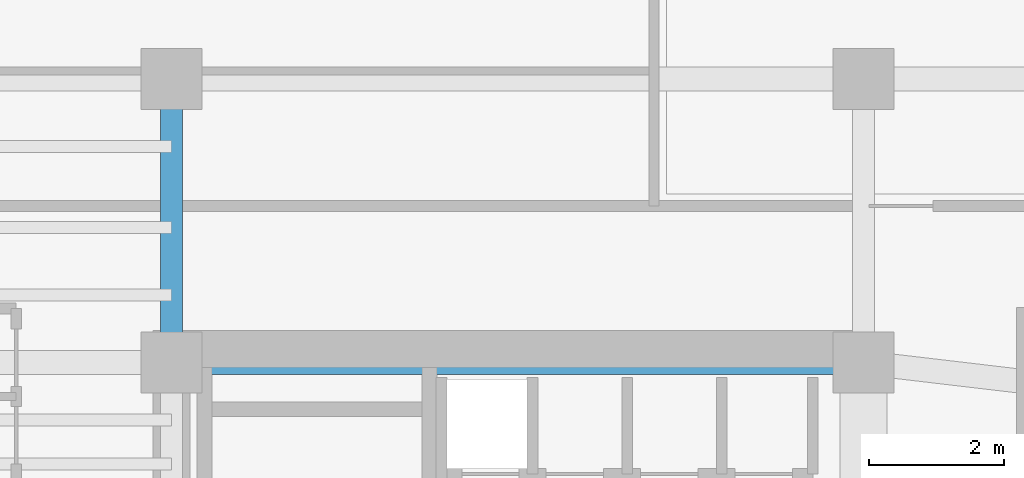
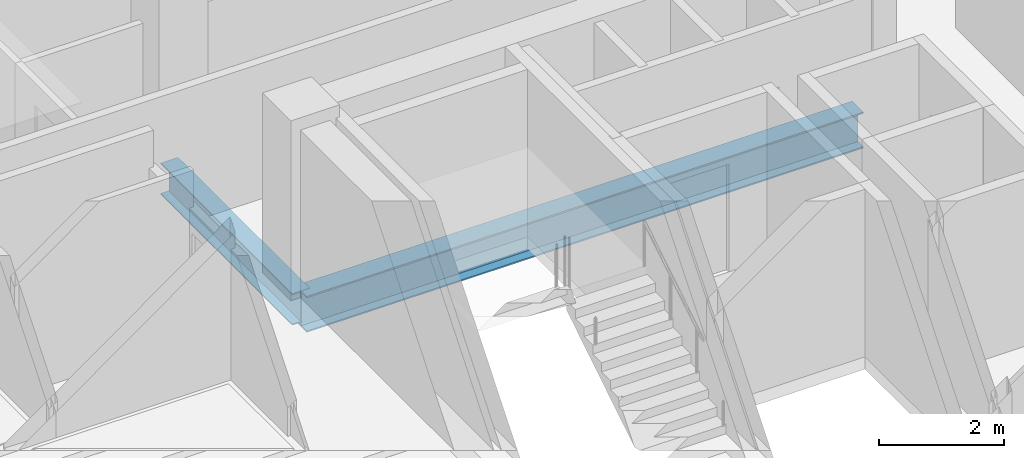
# One storey, part 10 of 24: 2 beams.
"""IFC4 building model written with IfcOpenShell, lengths in metres."""

from ifc_helpers import new_model, si_unit, direction, frame, origin, origin_2d, place, context, subcontext, project, spatial, i_section, extrude, source, transform, mapped, material, material_profile, profile_set, type_object, element, save


model = new_model("IFC4")

# Units and contexts
model_context = context("Model", 3, precision=1e-05, world=origin(), true_north=direction((0.0, 1.0)))
body_context = subcontext(model_context, "Body", "Model", "MODEL_VIEW")
ifc_project = project(units=[si_unit("LENGTHUNIT", "METRE"), si_unit("AREAUNIT", "SQUARE_METRE"), si_unit("VOLUMEUNIT", "CUBIC_METRE"), si_unit("PLANEANGLEUNIT", "RADIAN"), si_unit("MASSUNIT", "GRAM", prefix="KILO")], contexts=[model_context])

# Site, building, storey
site_placement = place(None, origin())
site = spatial("IfcSite", under=ifc_project, at=site_placement, CompositionType="ELEMENT")
building_placement = place(site_placement, origin())
building = spatial("IfcBuilding", under=site, at=building_placement, Name="Valdorenza Pilgrim Sanctuary Tower", CompositionType="ELEMENT")
storey_placement = place(building_placement, frame((0.0, 0.0, 230.0)))
storey = spatial("IfcBuildingStorey", under=building, at=storey_placement, Name="L59", CompositionType="ELEMENT", Elevation=230.0)

# Beams
ifc_material = material(Name="Steel ASTM A992 Grade 50", Category="steel")
ifc_material_profile_1 = material_profile(ifc_material, i_section(OverallWidth=0.323974609375, OverallDepth=0.611083984375, WebThickness=0.0126953125, FlangeThickness=0.01904296875, at=origin_2d()), Name="W24X104")
ifc_profile_set_1 = profile_set([ifc_material_profile_1], Name="Steel ASTM A992 Grade 50")
beam_type_1 = type_object("IfcBeamType", Name="STR-BM-GRD-W24B", PredefinedType="BEAM", material=ifc_profile_set_1)
shared_shape_1 = source(origin(), body_context, "Body", "SweptSolid", [
    extrude(i_section(OverallWidth=0.323974609375, OverallDepth=0.611083984375, WebThickness=0.0126953125, FlangeThickness=0.01904296875, at=origin_2d()), origin(), (0.0, 0.0, 1.0), 4.199951171875),
])
beam_1_placement = place(storey_placement, frame((-22.64990234375, 10.60009765625, -0.54541015625), z_axis=(0.0, 1.0, 0.0), x_axis=(-1.0, 0.0, 0.0)))
element("IfcBeam", 1, at=beam_1_placement, inside=storey, type_object=beam_type_1, Name="L59 Core Tie Girder CA-W-N1N2", PredefinedType="BEAM", context=body_context, shape_type="MappedRepresentation", body=[
    mapped(shared_shape_1, transform((0.0, 0.0, 0.0), x_axis=(1.0, 0.0, 0.0), y_axis=(0.0, 1.0, 0.0), z_axis=(0.0, 0.0, 1.0), scale=1.0)),
])
ifc_material_profile_2 = material_profile(ifc_material, i_section(OverallWidth=0.35595703125, OverallDepth=0.700927734375, WebThickness=0.016845703125, FlangeThickness=0.02734375, at=origin_2d()), Name="W27X161")
ifc_profile_set_2 = profile_set([ifc_material_profile_2], Name="Steel ASTM A992 Grade 50")
beam_type_2 = type_object("IfcBeamType", Name="STR-BM-GRD-W27", PredefinedType="BEAM", material=ifc_profile_set_2)
shared_shape_2 = source(origin(), body_context, "Body", "SweptSolid", [
    extrude(i_section(OverallWidth=0.35595703125, OverallDepth=0.700927734375, WebThickness=0.016845703125, FlangeThickness=0.02734375, at=origin_2d()), origin(), (0.0, 0.0, 1.0), 10.25),
])
beam_2_placement = place(storey_placement, frame((-22.64990234375, 10.60009765625, -0.590576171875), z_axis=(1.0, 0.0, 0.0), x_axis=(0.0, 1.0, 0.0)))
element("IfcBeam", 2, at=beam_2_placement, inside=storey, type_object=beam_type_2, Name="L59 Floor Girder CA-XC-N1", PredefinedType="BEAM", context=body_context, shape_type="MappedRepresentation", body=[
    mapped(shared_shape_2, transform((0.0, 0.0, 0.0), x_axis=(1.0, 0.0, 0.0), y_axis=(0.0, 1.0, 0.0), z_axis=(0.0, 0.0, 1.0), scale=1.0)),
])

save(model, "model.ifc")
